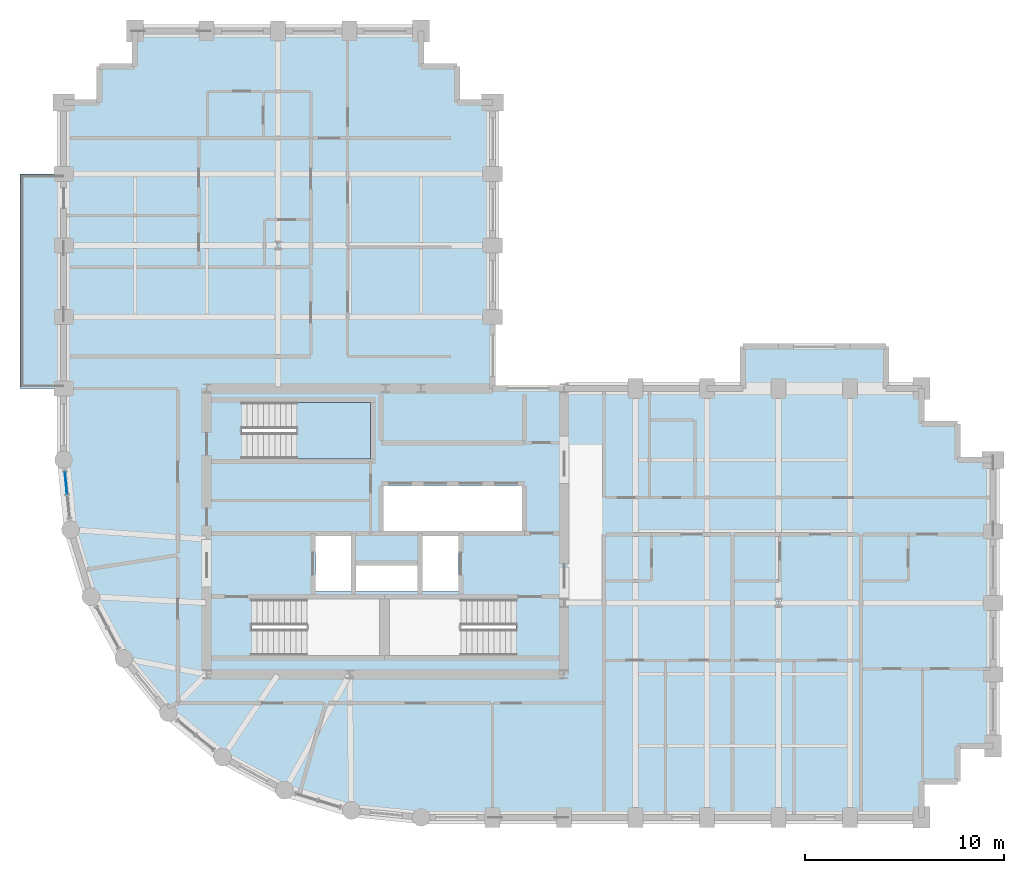
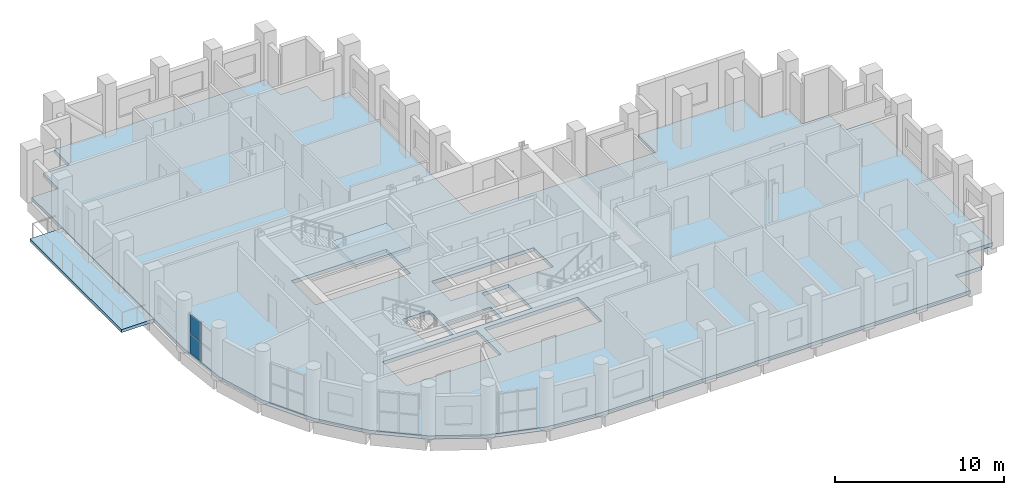
# One storey, part 8 of 15: 3 slabs, 2 plates, 2 elements without a shape of their own.
"""IFC4 building model written with IfcOpenShell, lengths in metres."""

from ifc_helpers import new_model, si_unit, direction, frame, origin, origin_2d, place, context, subcontext, project, spatial, polyline, rectangle, outline, extrude, material, layer, layer_set, type_object, element, aggregate, save


model = new_model("IFC4")

# Units and contexts
model_context = context("Model", 3, precision=1e-05, world=origin(), true_north=direction((0.0, 1.0)))
body_context = subcontext(model_context, "Body", "Model", "MODEL_VIEW")
ifc_project = project(units=[si_unit("LENGTHUNIT", "METRE"), si_unit("AREAUNIT", "SQUARE_METRE"), si_unit("VOLUMEUNIT", "CUBIC_METRE"), si_unit("PLANEANGLEUNIT", "RADIAN"), si_unit("MASSUNIT", "GRAM", prefix="KILO")], contexts=[model_context])

# Site, building, storey
site_placement = place(None, origin())
site = spatial("IfcSite", under=ifc_project, at=site_placement, CompositionType="ELEMENT")
building_placement = place(site_placement, origin())
building = spatial("IfcBuilding", under=site, at=building_placement, Name="Solnavia Interchange Tower", CompositionType="ELEMENT")
storey_placement = place(building_placement, frame((0.0, 0.0, 146.60009765625)))
storey = spatial("IfcBuildingStorey", under=building, at=storey_placement, Name="L36", CompositionType="ELEMENT", Elevation=146.60009765625)

# Curtain wall, plates
ifc_material_1 = material(Name="Aluminium Alloy 6063-T6", Category="aluminium")
ifc_layer_1 = layer(ifc_material_1, 0.239990234375)
ifc_layer_set_1 = layer_set([ifc_layer_1], Name="Aluminium Alloy 6063-T6")
curtain_wall_type = type_object("IfcCurtainWallType", Name="CurtainWall-Drum-CTW2", PredefinedType="NOTDEFINED", material=ifc_layer_set_1)
curtain_wall_placement = place(storey_placement, origin())
curtain_wall = element("IfcCurtainWall", 1, at=curtain_wall_placement, inside=storey, type_object=curtain_wall_type, Name="CTW-L36-D51 CTW-2 curtain wall", PredefinedType="NOTDEFINED")
ifc_material_2 = material(Name="Double-Glazed Low-E IGU Glass", Category="glass")
ifc_layer_2 = layer(ifc_material_2, 0.031982421875)
ifc_layer_set_2 = layer_set([ifc_layer_2], Name="Double-Glazed Low-E IGU Glass")
plate_type = type_object("IfcPlateType", Name="CW-Panel-Solar-32", PredefinedType="CURTAIN_PANEL", material=ifc_layer_set_2)
plate_1_placement = place(storey_placement, frame((7.314697265625, 20.435791015625, 0.06494140625), z_axis=(0.0, 0.0, 1.0), x_axis=(0.098043088306, -0.995182170678, 0.0)))
plate_1 = element("IfcPlate", 2, at=plate_1_placement, type_object=plate_type, Name="CTW-2 panel 1.1", PredefinedType="CURTAIN_PANEL", context=body_context, shape_type="SweptSolid", body=[
    extrude(rectangle(XDim=1.114501953125, YDim=0.031982421875, at=origin_2d()), origin(), (0.0, 0.0, 1.0), 1.367431640625),
])
plate_2_placement = place(storey_placement, frame((7.314697265625, 20.435791015625, 1.49755859375), z_axis=(0.0, 0.0, 1.0), x_axis=(0.098043088306, -0.995182170678, 0.0)))
plate_2 = element("IfcPlate", 3, at=plate_2_placement, type_object=plate_type, Name="CTW-2 panel 1.2", PredefinedType="CURTAIN_PANEL", context=body_context, shape_type="SweptSolid", body=[
    extrude(rectangle(XDim=1.114501953125, YDim=0.031982421875, at=origin_2d()), origin(), (0.0, 0.0, 1.0), 1.367431640625),
])
aggregate(curtain_wall, [plate_1, plate_2])

# Stair, slab
ifc_material_3 = material(Name="Concrete C40/50", Category="concrete")
stair_type = type_object("IfcStairType", Name="Stair-Dogleg-RC", PredefinedType="HALF_TURN_STAIR", material=ifc_material_3)
stair_placement = place(storey_placement, origin())
stair = element("IfcStair", 4, at=stair_placement, inside=storey, type_object=stair_type, Name="L36 Core exit stair 3", PredefinedType="HALF_TURN_STAIR")
ifc_layer_3 = layer(ifc_material_3, 0.35009765625)
ifc_layer_set_3 = layer_set([ifc_layer_3], Name="Concrete C40/50")
slab_type_1 = type_object("IfcSlabType", Name="Slab-StairLanding-350", PredefinedType="LANDING", material=ifc_layer_set_3)
slab_1_placement = place(storey_placement, frame((0.0, 0.0, 1.5498046875)))
slab_1 = element("IfcSlab", 5, at=slab_1_placement, type_object=slab_type_1, Name="ST-3 landing 1", PredefinedType="LANDING", context=body_context, shape_type="SweptSolid", body=[
    extrude(outline(polyline([(18.927978515625, 21.64990234375), (22.64990234375, 21.64990234375), (22.64990234375, 24.489990234375), (18.927978515625, 24.489990234375), (18.927978515625, 21.64990234375)])), origin(), (0.0, 0.0, 1.0), 0.35009765625),
])
aggregate(stair, [slab_1])

# Slabs
ifc_layer_4 = layer(ifc_material_3, 0.219970703125)
ifc_layer_set_4 = layer_set([ifc_layer_4], Name="Concrete C40/50")
slab_type_2 = type_object("IfcSlabType", Name="Slab-Terrace-220", PredefinedType="FLOOR", material=ifc_layer_set_4)
slab_2_placement = place(storey_placement, frame((0.0, 0.0, -0.260009765625)))
element("IfcSlab", 6, at=slab_2_placement, inside=storey, type_object=slab_type_2, Name="TER-L36-01 Outdoor spiral terrace slab", PredefinedType="FLOOR", context=body_context, shape_type="SweptSolid", body=[
    extrude(outline(polyline([(5.0, 25.199951171875), (7.199951171875, 25.199951171875), (7.199951171875, 36.0), (5.0, 36.0), (5.0, 25.199951171875)])), origin(), (0.0, 0.0, 1.0), 0.219970703125),
])
ifc_layer_5 = layer(ifc_material_3, 0.25)
ifc_layer_set_5 = layer_set([ifc_layer_5], Name="Concrete C40/50")
slab_type_3 = type_object("IfcSlabType", Name="Slab-Tower-250", PredefinedType="FLOOR", material=ifc_layer_set_5)
slab_3_placement = place(storey_placement, frame((0.0, 0.0, -0.25)))
element("IfcSlab", 7, at=slab_3_placement, inside=storey, type_object=slab_type_3, Name="SLB-L36-01 Structural floor slab", PredefinedType="FLOOR", context=body_context, shape_type="SweptSolid", body=[
    extrude(outline(polyline([(25.199951171875, 3.60009765625), (50.39990234375, 3.60009765625), (50.39990234375, 5.39990234375), (52.199951171875, 5.39990234375), (52.199951171875, 7.199951171875), (54.0, 7.199951171875), (54.0, 21.60009765625), (52.199951171875, 21.60009765625), (52.199951171875, 23.39990234375), (50.39990234375, 23.39990234375), (50.39990234375, 25.199951171875), (48.60009765625, 25.199951171875), (48.60009765625, 27.300048828125), (41.39990234375, 27.300048828125), (41.39990234375, 25.199951171875), (28.800048828125, 25.199951171875), (28.800048828125, 39.60009765625), (27.0, 39.60009765625), (27.0, 41.39990234375), (25.199951171875, 41.39990234375), (25.199951171875, 43.199951171875), (10.800048828125, 43.199951171875), (10.800048828125, 41.39990234375), (9.0, 41.39990234375), (9.0, 39.60009765625), (7.199951171875, 39.60009765625), (7.199951171875, 21.60009765625), (7.5458984375, 18.087890625), (8.570068359375, 14.7119140625), (10.23388671875, 11.60009765625), (12.471923828125, 8.8720703125), (15.199951171875, 6.634033203125), (18.31201171875, 4.969970703125), (21.68798828125, 3.946044921875), (25.199951171875, 3.60009765625)]), holes=[polyline([(16.675048828125, 11.75), (23.10009765625, 11.75), (23.10009765625, 14.590087890625), (16.675048828125, 14.590087890625), (16.675048828125, 11.75)]), polyline([(23.60009765625, 11.75), (29.97509765625, 11.75), (29.97509765625, 14.590087890625), (23.60009765625, 14.590087890625), (23.60009765625, 11.75)]), polyline([(16.175048828125, 21.64990234375), (22.64990234375, 21.64990234375), (22.64990234375, 24.489990234375), (16.175048828125, 24.489990234375), (16.175048828125, 21.64990234375)]), polyline([(19.8798828125, 14.9599609375), (21.679931640625, 14.9599609375), (21.679931640625, 17.780029296875), (19.8798828125, 17.780029296875), (19.8798828125, 14.9599609375)]), polyline([(25.280029296875, 14.9599609375), (27.080078125, 14.9599609375), (27.080078125, 17.780029296875), (25.280029296875, 17.780029296875), (25.280029296875, 14.9599609375)]), polyline([(21.919921875, 14.9599609375), (25.02001953125, 14.9599609375), (25.02001953125, 16.280029296875), (21.919921875, 16.280029296875), (21.919921875, 14.9599609375)]), polyline([(23.300048828125, 18.02001953125), (30.280029296875, 18.02001953125), (30.280029296875, 20.300048828125), (23.300048828125, 20.300048828125), (23.300048828125, 18.02001953125)])]), origin(), (0.0, 0.0, 1.0), 0.25),
])

save(model, "model.ifc")
